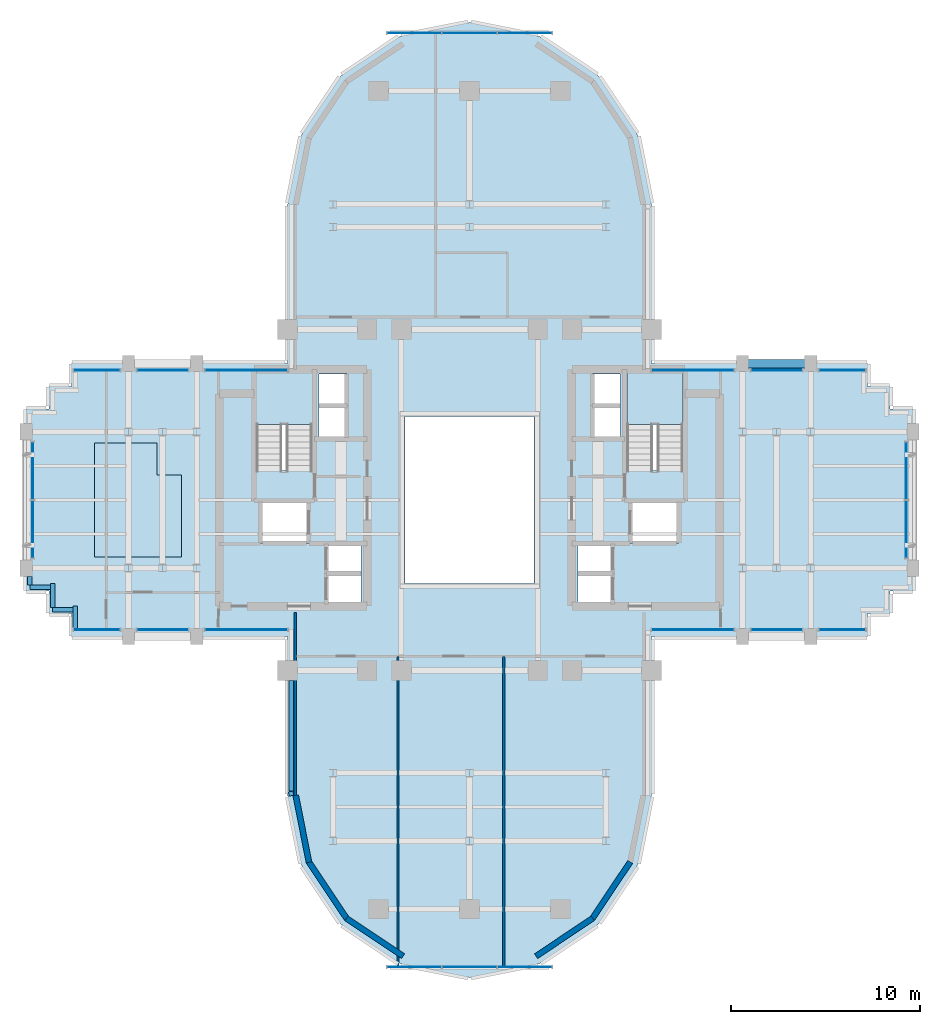
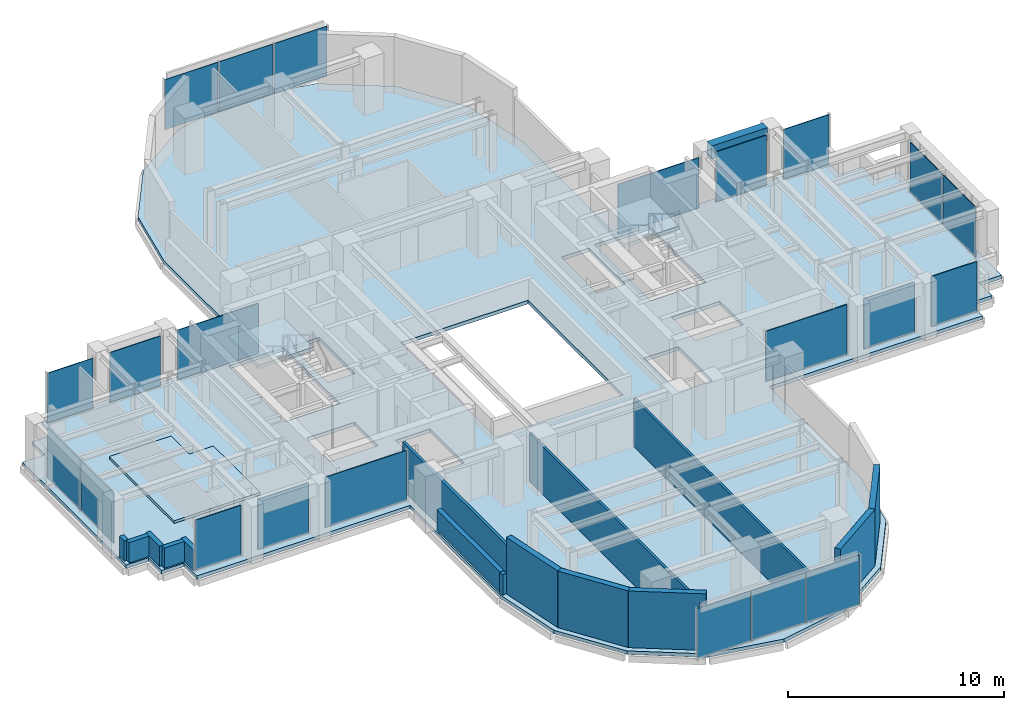
# One storey, part 7 of 13: 22 plates, 15 walls, 4 slabs, 1 beam, 18 elements without a shape of their own.
"""IFC4 building model written with IfcOpenShell, lengths in metres."""

from ifc_helpers import new_model, si_unit, direction, frame, frame_2d, origin, origin_2d, place, context, subcontext, project, spatial, polyline, rectangle, outline, extrude, source, transform, mapped, material, layer, layer_set, material_profile, profile_set, type_object, element, aggregate, save


model = new_model("IFC4")

# Units and contexts
model_context = context("Model", 3, precision=1e-05, world=origin(), true_north=direction((0.0, 1.0)))
body_context = subcontext(model_context, "Body", "Model", "MODEL_VIEW")
ifc_project = project(units=[si_unit("LENGTHUNIT", "METRE"), si_unit("AREAUNIT", "SQUARE_METRE"), si_unit("VOLUMEUNIT", "CUBIC_METRE"), si_unit("PLANEANGLEUNIT", "RADIAN"), si_unit("MASSUNIT", "GRAM", prefix="KILO")], contexts=[model_context])

# Site, building, storey
site_placement = place(None, origin())
site = spatial("IfcSite", under=ifc_project, at=site_placement, CompositionType="ELEMENT")
building_placement = place(site_placement, origin())
building = spatial("IfcBuilding", under=site, at=building_placement, Name="Keilestroom Media Tower", CompositionType="ELEMENT")
storey_placement = place(building_placement, frame((0.0, 0.0, 141.39990234375)))
storey = spatial("IfcBuildingStorey", under=building, at=storey_placement, Name="L38", CompositionType="ELEMENT", Elevation=141.39990234375)

# Beam
ifc_material_1 = material(Name="Precast concrete C40/50", Category="concrete")
ifc_material_profile = material_profile(ifc_material_1, rectangle(XDim=0.449951171875, YDim=0.75, at=origin_2d()), Name="PC 450x750")
ifc_profile_set = profile_set([ifc_material_profile], Name="Precast concrete C40/50")
beam_type = type_object("IfcBeamType", Name="Perimeter-Spandrel-Beam-PC-450x750", PredefinedType="SPANDREL", material=ifc_profile_set)
shared_shape_1 = source(origin(), body_context, "Body", "SweptSolid", [
    extrude(rectangle(XDim=0.449951171875, YDim=0.75, at=origin_2d()), origin(), (0.0, 0.0, 1.0), 2.989990234375),
])
beam_placement = place(storey_placement, frame((14.705078125, 7.199951171875, 2.8251953125), z_axis=(1.0, 0.0, 0.0), x_axis=(0.0, 1.0, 0.0)))
element("IfcBeam", 1, at=beam_placement, inside=storey, type_object=beam_type, Name="L38 Beam SPB-1 BM-L38-EW-027", PredefinedType="SPANDREL", context=body_context, shape_type="MappedRepresentation", body=[
    mapped(shared_shape_1, transform((0.0, 0.0, 0.0), x_axis=(1.0, 0.0, 0.0), y_axis=(0.0, 1.0, 0.0), z_axis=(0.0, 0.0, 1.0), scale=1.0)),
])

# Slabs
ifc_material_2 = material(Name="Concrete C50/60", Category="concrete")
ifc_layer_1 = layer(ifc_material_2, 0.199951171875)
ifc_layer_set_1 = layer_set([ifc_layer_1], Name="Concrete C50/60")
slab_type_1 = type_object("IfcSlabType", Name="Composite-Floor-Slab-200", PredefinedType="FLOOR", material=ifc_layer_set_1)
slab_1_placement = place(storey_placement, frame((0.0, 0.0, -0.199951171875)))
element("IfcSlab", 2, at=slab_1_placement, inside=storey, type_object=slab_type_1, Name="L38 Structural Composite Floor Slab", PredefinedType="FLOOR", context=body_context, shape_type="SweptSolid", body=[
    extrude(outline(polyline([(23.39990234375, -4.800048828125), (23.39990234375, 4.800048828125), (22.199951171875, 4.800048828125), (22.199951171875, 6.0), (21.0, 6.0), (21.0, 7.199951171875), (9.60009765625, 7.199951171875), (9.60009765625, 9.60009765625), (9.60009765625, 15.60009765625), (8.869140625, 19.273681640625), (6.7880859375, 22.38818359375), (3.673828125, 24.46923828125), (0.0, 25.199951171875), (-3.673828125, 24.46923828125), (-6.7880859375, 22.38818359375), (-8.869140625, 19.273681640625), (-9.60009765625, 15.60009765625), (-9.60009765625, 9.60009765625), (-9.60009765625, 7.199951171875), (-21.0, 7.199951171875), (-21.0, 6.0), (-22.199951171875, 6.0), (-22.199951171875, 4.800048828125), (-23.39990234375, 4.800048828125), (-23.39990234375, -4.800048828125), (-22.199951171875, -4.800048828125), (-22.199951171875, -6.0), (-21.0, -6.0), (-21.0, -7.199951171875), (-9.60009765625, -7.199951171875), (-9.60009765625, -9.60009765625), (-9.60009765625, -15.60009765625), (-8.869140625, -19.273681640625), (-6.7880859375, -22.38818359375), (-3.673828125, -24.46923828125), (0.0, -25.199951171875), (3.673828125, -24.46923828125), (6.7880859375, -22.38818359375), (8.869140625, -19.273681640625), (9.60009765625, -15.60009765625), (9.60009765625, -9.60009765625), (9.60009765625, -7.199951171875), (21.0, -7.199951171875), (21.0, -6.0), (22.199951171875, -6.0), (22.199951171875, -4.800048828125), (23.39990234375, -4.800048828125)]), holes=[polyline([(-11.260009765625, 1.544921875), (-11.260009765625, 6.760009765625), (-8.300048828125, 6.760009765625), (-8.300048828125, 1.544921875), (-11.260009765625, 1.544921875)]), polyline([(-11.050048828125, -2.280029296875), (-11.050048828125, -0.10009765625), (-8.47998046875, -0.10009765625), (-8.47998046875, -2.280029296875), (-11.050048828125, -2.280029296875)]), polyline([(-7.949951171875, 3.300048828125), (-7.949951171875, 6.64990234375), (-6.47998046875, 6.64990234375), (-6.47998046875, 3.300048828125), (-7.949951171875, 3.300048828125)]), polyline([(-7.56005859375, -2.320068359375), (-5.719970703125, -2.320068359375), (-5.719970703125, -5.47998046875), (-7.56005859375, -5.47998046875), (-7.56005859375, -2.320068359375)]), polyline([(3.39990234375, -4.39990234375), (-3.39990234375, -4.39990234375), (-3.39990234375, 4.39990234375), (3.39990234375, 4.39990234375), (3.39990234375, -4.39990234375)]), polyline([(7.56005859375, -2.320068359375), (7.56005859375, -5.47998046875), (5.719970703125, -5.47998046875), (5.719970703125, -2.320068359375), (7.56005859375, -2.320068359375)]), polyline([(6.47998046875, 3.300048828125), (6.47998046875, 6.64990234375), (7.949951171875, 6.64990234375), (7.949951171875, 3.300048828125), (6.47998046875, 3.300048828125)]), polyline([(8.300048828125, 1.544921875), (8.300048828125, 6.760009765625), (11.260009765625, 6.760009765625), (11.260009765625, 1.544921875), (8.300048828125, 1.544921875)]), polyline([(8.47998046875, -2.280029296875), (8.47998046875, -0.10009765625), (11.050048828125, -0.10009765625), (11.050048828125, -2.280029296875), (8.47998046875, -2.280029296875)])]), origin(), (0.0, 0.0, 1.0), 0.199951171875),
])
ifc_material_3 = material(Name="Concrete C45/55", Category="concrete")
ifc_layer_2 = layer(ifc_material_3, 0.14990234375)
ifc_layer_set_2 = layer_set([ifc_layer_2], Name="Concrete C45/55")
slab_type_2 = type_object("IfcSlabType", Name="Floating-Studio-Floor-Slab-150", PredefinedType="FLOOR", material=ifc_layer_set_2)
slab_2_placement = place(storey_placement, origin())
element("IfcSlab", 3, at=slab_2_placement, inside=storey, type_object=slab_type_2, Name="L38 Acoustic Floating Studio Slab ST-CHM-Z2", PredefinedType="FLOOR", context=body_context, shape_type="SweptSolid", body=[
    extrude(outline(polyline([(-19.800048828125, -3.0), (-15.199951171875, -3.0), (-15.199951171875, 1.320068359375), (-16.488037109375, 1.320068359375), (-16.488037109375, 3.0), (-19.800048828125, 3.0), (-19.800048828125, -3.0)])), origin(), (0.0, 0.0, 1.0), 0.150146484375),
])

# Stair, slab
stair_type = type_object("IfcStairType", Name="Enclosed-Dog-Leg-Stair-ST-CORE", PredefinedType="HALF_TURN_STAIR", material=ifc_material_3)
stair_1_placement = place(storey_placement, origin())
stair_1 = element("IfcStair", 4, at=stair_1_placement, inside=storey, type_object=stair_type, Name="L38 West Core Escape Stair ST-1", PredefinedType="HALF_TURN_STAIR")
ifc_layer_3 = layer(ifc_material_3, 0.199951171875)
ifc_layer_set_3 = layer_set([ifc_layer_3], Name="Concrete C45/55")
slab_type_3 = type_object("IfcSlabType", Name="Stair-Intermediate-And-Top-Landing-Slab-200", PredefinedType="LANDING", material=ifc_layer_set_3)
slab_3_placement = place(storey_placement, frame((0.0, 0.0, 1.5)))
slab_3 = element("IfcSlab", 5, at=slab_3_placement, type_object=slab_type_3, Name="ST-1 landing 1", PredefinedType="LANDING", context=body_context, shape_type="SweptSolid", body=[
    extrude(outline(polyline([(-8.300048828125, 3.99609375), (-8.300048828125, 6.760009765625), (-11.260009765625, 6.760009765625), (-11.260009765625, 3.99609375), (-8.300048828125, 3.99609375)])), origin(), (0.0, 0.0, 1.0), 0.2001953125),
])
aggregate(stair_1, [slab_3])

stair_2_placement = place(storey_placement, origin())
stair_2 = element("IfcStair", 6, at=stair_2_placement, inside=storey, type_object=stair_type, Name="L38 East Core Escape Stair ST-2", PredefinedType="HALF_TURN_STAIR")
slab_4_placement = place(storey_placement, frame((0.0, 0.0, 1.5)))
slab_4 = element("IfcSlab", 7, at=slab_4_placement, type_object=slab_type_3, Name="ST-2 landing 1", PredefinedType="LANDING", context=body_context, shape_type="SweptSolid", body=[
    extrude(outline(polyline([(11.260009765625, 3.99609375), (11.260009765625, 6.760009765625), (8.300048828125, 6.760009765625), (8.300048828125, 3.99609375), (11.260009765625, 3.99609375)])), origin(), (0.0, 0.0, 1.0), 0.2001953125),
])
aggregate(stair_2, [slab_4])

# Curtain wall, plates
ifc_material_4 = material(Name="Anodised Aluminium Alloy", Category="aluminium")
curtain_wall_type_1 = type_object("IfcCurtainWallType", Name="Unitised-Curtain-Wall-CW-6", PredefinedType="NOTDEFINED", material=ifc_material_4)
curtain_wall_1_placement = place(storey_placement, origin())
curtain_wall_1 = element("IfcCurtainWall", 8, at=curtain_wall_1_placement, inside=storey, type_object=curtain_wall_type_1, Name="L38 Curtain Wall CW-6 CW-L38-LN-1", PredefinedType="NOTDEFINED")
ifc_material_5 = material(Name="Curved-Facet Triple Glazed Unit", Category="glass")
ifc_layer_4 = layer(ifc_material_5, 0.033935546875)
ifc_layer_set_4 = layer_set([ifc_layer_4], Name="Curved-Facet Triple Glazed Unit")
plate_type_1 = type_object("IfcPlateType", Name="Insulated-Curtain-Wall-Glazing-Panel-CW-6", PredefinedType="CURTAIN_PANEL", material=ifc_layer_set_4)
shared_shape_2 = source(origin(), body_context, "Body", "SweptSolid", [
    extrude(rectangle(XDim=2.84375, YDim=0.033935546875, at=origin_2d()), origin(), (0.0, 0.0, 1.0), 2.833984375),
])
plate_1_placement = place(storey_placement, frame((-2.9169921875, 24.64990234375, 0.072998046875), z_axis=(0.0, 0.0, 1.0), x_axis=(1.0, 0.0, 0.0)))
plate_1 = element("IfcPlate", 9, at=plate_1_placement, type_object=plate_type_1, Name="CW-6 Unitised Glazing 00", PredefinedType="CURTAIN_PANEL", context=body_context, shape_type="MappedRepresentation", body=[
    mapped(shared_shape_2, transform((0.0, 0.0, 0.0), x_axis=(1.0, 0.0, 0.0), y_axis=(0.0, 1.0, 0.0), z_axis=(0.0, 0.0, 1.0), scale=1.0)),
])
plate_2_placement = place(storey_placement, frame((2.9169921875, 24.64990234375, 0.072998046875), z_axis=(0.0, 0.0, 1.0), x_axis=(1.0, 0.0, 0.0)))
plate_2 = element("IfcPlate", 10, at=plate_2_placement, type_object=plate_type_1, Name="CW-6 Unitised Glazing 02", PredefinedType="CURTAIN_PANEL", context=body_context, shape_type="MappedRepresentation", body=[
    mapped(shared_shape_2, transform((0.0, 0.0, 0.0), x_axis=(1.0, 0.0, 0.0), y_axis=(0.0, 1.0, 0.0), z_axis=(0.0, 0.0, 1.0), scale=1.0)),
])

curtain_wall_2_placement = place(storey_placement, origin())
curtain_wall_2 = element("IfcCurtainWall", 11, at=curtain_wall_2_placement, inside=storey, type_object=curtain_wall_type_1, Name="L38 Curtain Wall CW-6 CW-L38-LS-1", PredefinedType="NOTDEFINED")
plate_3_placement = place(storey_placement, frame((-2.9169921875, -24.64990234375, 0.072998046875), z_axis=(0.0, 0.0, 1.0), x_axis=(1.0, 0.0, 0.0)))
plate_3 = element("IfcPlate", 12, at=plate_3_placement, type_object=plate_type_1, Name="CW-6 Unitised Glazing 00", PredefinedType="CURTAIN_PANEL", context=body_context, shape_type="MappedRepresentation", body=[
    mapped(shared_shape_2, transform((0.0, 0.0, 0.0), x_axis=(1.0, 0.0, 0.0), y_axis=(0.0, 1.0, 0.0), z_axis=(0.0, 0.0, 1.0), scale=1.0)),
])
plate_4_placement = place(storey_placement, frame((2.9169921875, -24.64990234375, 0.072998046875), z_axis=(0.0, 0.0, 1.0), x_axis=(1.0, 0.0, 0.0)))
plate_4 = element("IfcPlate", 13, at=plate_4_placement, type_object=plate_type_1, Name="CW-6 Unitised Glazing 02", PredefinedType="CURTAIN_PANEL", context=body_context, shape_type="MappedRepresentation", body=[
    mapped(shared_shape_2, transform((0.0, 0.0, 0.0), x_axis=(1.0, 0.0, 0.0), y_axis=(0.0, 1.0, 0.0), z_axis=(0.0, 0.0, 1.0), scale=1.0)),
])

# Plate
shared_shape_3 = source(origin(), body_context, "Body", "SweptSolid", [
    extrude(rectangle(XDim=2.876220703125, YDim=0.033935546875, at=origin_2d()), origin(), (0.0, 0.0, 1.0), 2.833984375),
])
plate_5_placement = place(storey_placement, frame((0.0, 24.64990234375, 0.072998046875), z_axis=(0.0, 0.0, 1.0), x_axis=(1.0, 0.0, 0.0)))
plate_5 = element("IfcPlate", 14, at=plate_5_placement, type_object=plate_type_1, Name="CW-6 Unitised Glazing 01", PredefinedType="CURTAIN_PANEL", context=body_context, shape_type="MappedRepresentation", body=[
    mapped(shared_shape_3, transform((0.0, 0.0, 0.0), x_axis=(1.0, 0.0, 0.0), y_axis=(0.0, 1.0, 0.0), z_axis=(0.0, 0.0, 1.0), scale=1.0)),
])

aggregate(curtain_wall_1, [plate_1, plate_5, plate_2])

plate_6_placement = place(storey_placement, frame((0.0, -24.64990234375, 0.072998046875), z_axis=(0.0, 0.0, 1.0), x_axis=(1.0, 0.0, 0.0)))
plate_6 = element("IfcPlate", 15, at=plate_6_placement, type_object=plate_type_1, Name="CW-6 Unitised Glazing 01", PredefinedType="CURTAIN_PANEL", context=body_context, shape_type="MappedRepresentation", body=[
    mapped(shared_shape_3, transform((0.0, 0.0, 0.0), x_axis=(1.0, 0.0, 0.0), y_axis=(0.0, 1.0, 0.0), z_axis=(0.0, 0.0, 1.0), scale=1.0)),
])

aggregate(curtain_wall_2, [plate_3, plate_6, plate_4])

# Curtain wall, plate
curtain_wall_type_2 = type_object("IfcCurtainWallType", Name="Unitised-Curtain-Wall-CW-2", PredefinedType="NOTDEFINED", material=ifc_material_4)
curtain_wall_3_placement = place(storey_placement, origin())
curtain_wall_3 = element("IfcCurtainWall", 16, at=curtain_wall_3_placement, inside=storey, type_object=curtain_wall_type_2, Name="L38 Curtain Wall CW-2 CW-L38-NW-1", PredefinedType="NOTDEFINED")
ifc_material_6 = material(Name="Double Glazed Low-E Unit", Category="glass")
ifc_layer_5 = layer(ifc_material_6, 0.0419921875)
ifc_layer_set_5 = layer_set([ifc_layer_5], Name="Double Glazed Low-E Unit")
plate_type_2 = type_object("IfcPlateType", Name="Insulated-Curtain-Wall-Glazing-Panel-CW-2", PredefinedType="CURTAIN_PANEL", material=ifc_layer_set_5)
shared_shape_4 = source(origin(), body_context, "Body", "SweptSolid", [
    extrude(rectangle(XDim=2.43310546875, YDim=0.0419921875, at=origin_2d()), origin(), (0.0, 0.0, 1.0), 2.833984375),
])
plate_7_placement = place(storey_placement, frame((-19.66748046875, 6.85009765625, 0.072998046875), z_axis=(0.0, 0.0, 1.0), x_axis=(1.0, 0.0, 0.0)))
plate_7 = element("IfcPlate", 17, at=plate_7_placement, type_object=plate_type_2, Name="CW-2 Unitised Glazing 00", PredefinedType="CURTAIN_PANEL", context=body_context, shape_type="MappedRepresentation", body=[
    mapped(shared_shape_4, transform((0.0, 0.0, 0.0), x_axis=(1.0, 0.0, 0.0), y_axis=(0.0, 1.0, 0.0), z_axis=(0.0, 0.0, 1.0), scale=1.0)),
])
aggregate(curtain_wall_3, [plate_7])

curtain_wall_4_placement = place(storey_placement, origin())
curtain_wall_4 = element("IfcCurtainWall", 18, at=curtain_wall_4_placement, inside=storey, type_object=curtain_wall_type_2, Name="L38 Curtain Wall CW-2 CW-L38-NE-3", PredefinedType="NOTDEFINED")
plate_8_placement = place(storey_placement, frame((19.66748046875, 6.85009765625, 0.072998046875), z_axis=(0.0, 0.0, 1.0), x_axis=(1.0, 0.0, 0.0)))
plate_8 = element("IfcPlate", 19, at=plate_8_placement, type_object=plate_type_2, Name="CW-2 Unitised Glazing 00", PredefinedType="CURTAIN_PANEL", context=body_context, shape_type="MappedRepresentation", body=[
    mapped(shared_shape_4, transform((0.0, 0.0, 0.0), x_axis=(1.0, 0.0, 0.0), y_axis=(0.0, 1.0, 0.0), z_axis=(0.0, 0.0, 1.0), scale=1.0)),
])
aggregate(curtain_wall_4, [plate_8])

curtain_wall_5_placement = place(storey_placement, origin())
curtain_wall_5 = element("IfcCurtainWall", 20, at=curtain_wall_5_placement, inside=storey, type_object=curtain_wall_type_2, Name="L38 Curtain Wall CW-2 CW-L38-SW-1", PredefinedType="NOTDEFINED")
plate_9_placement = place(storey_placement, frame((-19.66748046875, -6.85009765625, 0.072998046875), z_axis=(0.0, 0.0, 1.0), x_axis=(1.0, 0.0, 0.0)))
plate_9 = element("IfcPlate", 21, at=plate_9_placement, type_object=plate_type_2, Name="CW-2 Unitised Glazing 00", PredefinedType="CURTAIN_PANEL", context=body_context, shape_type="MappedRepresentation", body=[
    mapped(shared_shape_4, transform((0.0, 0.0, 0.0), x_axis=(1.0, 0.0, 0.0), y_axis=(0.0, 1.0, 0.0), z_axis=(0.0, 0.0, 1.0), scale=1.0)),
])
aggregate(curtain_wall_5, [plate_9])

curtain_wall_6_placement = place(storey_placement, origin())
curtain_wall_6 = element("IfcCurtainWall", 22, at=curtain_wall_6_placement, inside=storey, type_object=curtain_wall_type_2, Name="L38 Curtain Wall CW-2 CW-L38-SE-3", PredefinedType="NOTDEFINED")
plate_10_placement = place(storey_placement, frame((19.66748046875, -6.85009765625, 0.072998046875), z_axis=(0.0, 0.0, 1.0), x_axis=(1.0, 0.0, 0.0)))
plate_10 = element("IfcPlate", 23, at=plate_10_placement, type_object=plate_type_2, Name="CW-2 Unitised Glazing 00", PredefinedType="CURTAIN_PANEL", context=body_context, shape_type="MappedRepresentation", body=[
    mapped(shared_shape_4, transform((0.0, 0.0, 0.0), x_axis=(1.0, 0.0, 0.0), y_axis=(0.0, 1.0, 0.0), z_axis=(0.0, 0.0, 1.0), scale=1.0)),
])
aggregate(curtain_wall_6, [plate_10])

curtain_wall_7_placement = place(storey_placement, origin())
curtain_wall_7 = element("IfcCurtainWall", 24, at=curtain_wall_7_placement, inside=storey, type_object=curtain_wall_type_2, Name="L38 Curtain Wall CW-2 CW-L38-NW-2", PredefinedType="NOTDEFINED")
shared_shape_5 = source(origin(), body_context, "Body", "SweptSolid", [
    extrude(rectangle(XDim=2.697998046875, YDim=0.0419921875, at=origin_2d()), origin(), (0.0, 0.0, 1.0), 2.833984375),
])
plate_11_placement = place(storey_placement, frame((-16.199951171875, 6.85009765625, 0.072998046875), z_axis=(0.0, 0.0, 1.0), x_axis=(1.0, 0.0, 0.0)))
plate_11 = element("IfcPlate", 25, at=plate_11_placement, type_object=plate_type_2, Name="CW-2 Unitised Glazing 00", PredefinedType="CURTAIN_PANEL", context=body_context, shape_type="MappedRepresentation", body=[
    mapped(shared_shape_5, transform((0.0, 0.0, 0.0), x_axis=(1.0, 0.0, 0.0), y_axis=(0.0, 1.0, 0.0), z_axis=(0.0, 0.0, 1.0), scale=1.0)),
])
aggregate(curtain_wall_7, [plate_11])

curtain_wall_8_placement = place(storey_placement, origin())
curtain_wall_8 = element("IfcCurtainWall", 26, at=curtain_wall_8_placement, inside=storey, type_object=curtain_wall_type_2, Name="L38 Curtain Wall CW-2 CW-L38-NE-2", PredefinedType="NOTDEFINED")
plate_12_placement = place(storey_placement, frame((16.199951171875, 6.85009765625, 0.072998046875), z_axis=(0.0, 0.0, 1.0), x_axis=(1.0, 0.0, 0.0)))
plate_12 = element("IfcPlate", 27, at=plate_12_placement, type_object=plate_type_2, Name="CW-2 Unitised Glazing 00", PredefinedType="CURTAIN_PANEL", context=body_context, shape_type="MappedRepresentation", body=[
    mapped(shared_shape_5, transform((0.0, 0.0, 0.0), x_axis=(1.0, 0.0, 0.0), y_axis=(0.0, 1.0, 0.0), z_axis=(0.0, 0.0, 1.0), scale=1.0)),
])
aggregate(curtain_wall_8, [plate_12])

curtain_wall_9_placement = place(storey_placement, origin())
curtain_wall_9 = element("IfcCurtainWall", 28, at=curtain_wall_9_placement, inside=storey, type_object=curtain_wall_type_2, Name="L38 Curtain Wall CW-2 CW-L38-SW-2", PredefinedType="NOTDEFINED")
plate_13_placement = place(storey_placement, frame((-16.199951171875, -6.85009765625, 0.072998046875), z_axis=(0.0, 0.0, 1.0), x_axis=(1.0, 0.0, 0.0)))
plate_13 = element("IfcPlate", 29, at=plate_13_placement, type_object=plate_type_2, Name="CW-2 Unitised Glazing 00", PredefinedType="CURTAIN_PANEL", context=body_context, shape_type="MappedRepresentation", body=[
    mapped(shared_shape_5, transform((0.0, 0.0, 0.0), x_axis=(1.0, 0.0, 0.0), y_axis=(0.0, 1.0, 0.0), z_axis=(0.0, 0.0, 1.0), scale=1.0)),
])
aggregate(curtain_wall_9, [plate_13])

curtain_wall_10_placement = place(storey_placement, origin())
curtain_wall_10 = element("IfcCurtainWall", 30, at=curtain_wall_10_placement, inside=storey, type_object=curtain_wall_type_2, Name="L38 Curtain Wall CW-2 CW-L38-SE-2", PredefinedType="NOTDEFINED")
plate_14_placement = place(storey_placement, frame((16.199951171875, -6.85009765625, 0.072998046875), z_axis=(0.0, 0.0, 1.0), x_axis=(1.0, 0.0, 0.0)))
plate_14 = element("IfcPlate", 31, at=plate_14_placement, type_object=plate_type_2, Name="CW-2 Unitised Glazing 00", PredefinedType="CURTAIN_PANEL", context=body_context, shape_type="MappedRepresentation", body=[
    mapped(shared_shape_5, transform((0.0, 0.0, 0.0), x_axis=(1.0, 0.0, 0.0), y_axis=(0.0, 1.0, 0.0), z_axis=(0.0, 0.0, 1.0), scale=1.0)),
])
aggregate(curtain_wall_10, [plate_14])

curtain_wall_11_placement = place(storey_placement, origin())
curtain_wall_11 = element("IfcCurtainWall", 32, at=curtain_wall_11_placement, inside=storey, type_object=curtain_wall_type_2, Name="L38 Curtain Wall CW-2 CW-L38-NW-3", PredefinedType="NOTDEFINED")
shared_shape_6 = source(origin(), body_context, "Body", "SweptSolid", [
    extrude(rectangle(XDim=4.3330078125, YDim=0.0419921875, at=origin_2d()), origin(), (0.0, 0.0, 1.0), 2.833984375),
])
plate_15_placement = place(storey_placement, frame((-11.782470703125, 6.85009765625, 0.072998046875), z_axis=(0.0, 0.0, 1.0), x_axis=(1.0, 0.0, 0.0)))
plate_15 = element("IfcPlate", 33, at=plate_15_placement, type_object=plate_type_2, Name="CW-2 Unitised Glazing 00", PredefinedType="CURTAIN_PANEL", context=body_context, shape_type="MappedRepresentation", body=[
    mapped(shared_shape_6, transform((0.0, 0.0, 0.0), x_axis=(1.0, 0.0, 0.0), y_axis=(0.0, 1.0, 0.0), z_axis=(0.0, 0.0, 1.0), scale=1.0)),
])
aggregate(curtain_wall_11, [plate_15])

curtain_wall_12_placement = place(storey_placement, origin())
curtain_wall_12 = element("IfcCurtainWall", 34, at=curtain_wall_12_placement, inside=storey, type_object=curtain_wall_type_2, Name="L38 Curtain Wall CW-2 CW-L38-NE-1", PredefinedType="NOTDEFINED")
plate_16_placement = place(storey_placement, frame((11.782470703125, 6.85009765625, 0.072998046875), z_axis=(0.0, 0.0, 1.0), x_axis=(1.0, 0.0, 0.0)))
plate_16 = element("IfcPlate", 35, at=plate_16_placement, type_object=plate_type_2, Name="CW-2 Unitised Glazing 00", PredefinedType="CURTAIN_PANEL", context=body_context, shape_type="MappedRepresentation", body=[
    mapped(shared_shape_6, transform((0.0, 0.0, 0.0), x_axis=(1.0, 0.0, 0.0), y_axis=(0.0, 1.0, 0.0), z_axis=(0.0, 0.0, 1.0), scale=1.0)),
])
aggregate(curtain_wall_12, [plate_16])

curtain_wall_13_placement = place(storey_placement, origin())
curtain_wall_13 = element("IfcCurtainWall", 36, at=curtain_wall_13_placement, inside=storey, type_object=curtain_wall_type_2, Name="L38 Curtain Wall CW-2 CW-L38-SW-3", PredefinedType="NOTDEFINED")
plate_17_placement = place(storey_placement, frame((-11.782470703125, -6.85009765625, 0.072998046875), z_axis=(0.0, 0.0, 1.0), x_axis=(1.0, 0.0, 0.0)))
plate_17 = element("IfcPlate", 37, at=plate_17_placement, type_object=plate_type_2, Name="CW-2 Unitised Glazing 00", PredefinedType="CURTAIN_PANEL", context=body_context, shape_type="MappedRepresentation", body=[
    mapped(shared_shape_6, transform((0.0, 0.0, 0.0), x_axis=(1.0, 0.0, 0.0), y_axis=(0.0, 1.0, 0.0), z_axis=(0.0, 0.0, 1.0), scale=1.0)),
])
aggregate(curtain_wall_13, [plate_17])

curtain_wall_14_placement = place(storey_placement, origin())
curtain_wall_14 = element("IfcCurtainWall", 38, at=curtain_wall_14_placement, inside=storey, type_object=curtain_wall_type_2, Name="L38 Curtain Wall CW-2 CW-L38-SE-1", PredefinedType="NOTDEFINED")
plate_18_placement = place(storey_placement, frame((11.782470703125, -6.85009765625, 0.072998046875), z_axis=(0.0, 0.0, 1.0), x_axis=(1.0, 0.0, 0.0)))
plate_18 = element("IfcPlate", 39, at=plate_18_placement, type_object=plate_type_2, Name="CW-2 Unitised Glazing 00", PredefinedType="CURTAIN_PANEL", context=body_context, shape_type="MappedRepresentation", body=[
    mapped(shared_shape_6, transform((0.0, 0.0, 0.0), x_axis=(1.0, 0.0, 0.0), y_axis=(0.0, 1.0, 0.0), z_axis=(0.0, 0.0, 1.0), scale=1.0)),
])
aggregate(curtain_wall_14, [plate_18])

# Curtain wall, plates
curtain_wall_15_placement = place(storey_placement, origin())
curtain_wall_15 = element("IfcCurtainWall", 40, at=curtain_wall_15_placement, inside=storey, type_object=curtain_wall_type_2, Name="L38 Curtain Wall CW-2 CW-L38-W-1", PredefinedType="NOTDEFINED")
shared_shape_7 = source(origin(), body_context, "Body", "SweptSolid", [
    extrude(rectangle(XDim=3.01806640625, YDim=0.0419921875, at=origin_2d()), origin(), (0.0, 0.0, 1.0), 2.833984375),
])
plate_19_placement = place(storey_placement, frame((-23.050048828125, -1.5400390625, 0.072998046875), z_axis=(0.0, 0.0, 1.0), x_axis=(0.0, 1.0, 0.0)))
plate_19 = element("IfcPlate", 41, at=plate_19_placement, type_object=plate_type_2, Name="CW-2 Unitised Glazing 00", PredefinedType="CURTAIN_PANEL", context=body_context, shape_type="MappedRepresentation", body=[
    mapped(shared_shape_7, transform((0.0, 0.0, 0.0), x_axis=(1.0, 0.0, 0.0), y_axis=(0.0, 1.0, 0.0), z_axis=(0.0, 0.0, 1.0), scale=1.0)),
])
plate_20_placement = place(storey_placement, frame((-23.050048828125, 1.5400390625, 0.072998046875), z_axis=(0.0, 0.0, 1.0), x_axis=(0.0, 1.0, 0.0)))
plate_20 = element("IfcPlate", 42, at=plate_20_placement, type_object=plate_type_2, Name="CW-2 Unitised Glazing 01", PredefinedType="CURTAIN_PANEL", context=body_context, shape_type="MappedRepresentation", body=[
    mapped(shared_shape_7, transform((0.0, 0.0, 0.0), x_axis=(1.0, 0.0, 0.0), y_axis=(0.0, 1.0, 0.0), z_axis=(0.0, 0.0, 1.0), scale=1.0)),
])
aggregate(curtain_wall_15, [plate_19, plate_20])

curtain_wall_16_placement = place(storey_placement, origin())
curtain_wall_16 = element("IfcCurtainWall", 43, at=curtain_wall_16_placement, inside=storey, type_object=curtain_wall_type_2, Name="L38 Curtain Wall CW-2 CW-L38-E-1", PredefinedType="NOTDEFINED")
plate_21_placement = place(storey_placement, frame((23.050048828125, -1.5400390625, 0.072998046875), z_axis=(0.0, 0.0, 1.0), x_axis=(0.0, 1.0, 0.0)))
plate_21 = element("IfcPlate", 44, at=plate_21_placement, type_object=plate_type_2, Name="CW-2 Unitised Glazing 00", PredefinedType="CURTAIN_PANEL", context=body_context, shape_type="MappedRepresentation", body=[
    mapped(shared_shape_7, transform((0.0, 0.0, 0.0), x_axis=(1.0, 0.0, 0.0), y_axis=(0.0, 1.0, 0.0), z_axis=(0.0, 0.0, 1.0), scale=1.0)),
])
plate_22_placement = place(storey_placement, frame((23.050048828125, 1.5400390625, 0.072998046875), z_axis=(0.0, 0.0, 1.0), x_axis=(0.0, 1.0, 0.0)))
plate_22 = element("IfcPlate", 45, at=plate_22_placement, type_object=plate_type_2, Name="CW-2 Unitised Glazing 01", PredefinedType="CURTAIN_PANEL", context=body_context, shape_type="MappedRepresentation", body=[
    mapped(shared_shape_7, transform((0.0, 0.0, 0.0), x_axis=(1.0, 0.0, 0.0), y_axis=(0.0, 1.0, 0.0), z_axis=(0.0, 0.0, 1.0), scale=1.0)),
])
aggregate(curtain_wall_16, [plate_21, plate_22])

# Walls
ifc_layer_6 = layer(ifc_material_1, 0.300048828125)
ifc_layer_set_6 = layer_set([ifc_layer_6], Name="Precast concrete C40/50")
wall_type_1 = type_object("IfcWallType", Name="Exterior-Masonry-Spandrel-Wall-300", PredefinedType="SOLIDWALL", material=ifc_layer_set_6)
for number, where, z_axis, x_axis, name in (
    (46, (-9.1748046875, -15.585205078125, 0.0), (0.0, 0.0, 1.0), (0.195114232679, -0.980780523974, 0.0), "L38 Lobe Facet Precast Frame Wall 07"),
    (47, (-8.48193359375, -19.097412109375, 0.0), (0.0, 0.0, 1.0), (0.555574187116, -0.831466970246, 0.0), "L38 Lobe Facet Precast Frame Wall 08"),
):
    element("IfcWall", number, at=place(storey_placement, frame(where, z_axis=z_axis, x_axis=x_axis)), inside=storey, type_object=wall_type_1, Name=name, PredefinedType="SOLIDWALL", context=body_context, shape_type="SweptSolid", body=[
        extrude(rectangle(XDim=3.608642578125, YDim=0.300048828125, at=frame_2d((1.80419921875, 0.0))), origin(), (0.0, 0.0, 1.0), 3.2001953125),
    ])
for number, where, z_axis, x_axis, name in (
    (48, (-6.497802734375, -22.0771484375, 0.0), (0.0, 0.0, 1.0), (0.8314749531, -0.555562239868, 0.0), "L38 Lobe Facet Precast Frame Wall 09"),
    (49, (3.510009765625, -24.073486328125, 0.0), (0.0, 0.0, 1.0), (0.8314749531, 0.555562239868, 0.0), "L38 Lobe Facet Precast Frame Wall 10"),
):
    element("IfcWall", number, at=place(storey_placement, frame(where, z_axis=z_axis, x_axis=x_axis)), inside=storey, type_object=wall_type_1, Name=name, PredefinedType="SOLIDWALL", context=body_context, shape_type="SweptSolid", body=[
        extrude(rectangle(XDim=3.59326171875, YDim=0.300048828125, at=frame_2d((1.796630859375, 0.0))), origin(), (0.0, 0.0, 1.0), 3.2001953125),
    ])
wall_1_placement = place(storey_placement, frame((6.47705078125, -22.097900390625, 0.0), z_axis=(0.0, 0.0, 1.0), x_axis=(0.555574187116, 0.831466970246, 0.0)))
element("IfcWall", 50, at=wall_1_placement, inside=storey, type_object=wall_type_1, Name="L38 Lobe Facet Precast Frame Wall 11", PredefinedType="SOLIDWALL", context=body_context, shape_type="SweptSolid", body=[
    extrude(rectangle(XDim=3.608642578125, YDim=0.300048828125, at=frame_2d((1.80419921875, 0.0))), origin(), (0.0, 0.0, 1.0), 3.2001953125),
])
ifc_material_7 = material(Name="Gypsum Plasterboard & Steel Stud", Category="steel")
ifc_layer_7 = layer(ifc_material_7, 0.1201171875)
ifc_layer_set_7 = layer_set([ifc_layer_7], Name="Gypsum Plasterboard & Steel Stud")
wall_type_2 = type_object("IfcWallType", Name="Interior-Partition-Wall-120", PredefinedType="PARTITIONING", material=ifc_layer_set_7)
for number, where, z_axis, x_axis, name in (
    (51, (-3.780029296875, -24.64990234375, 0.0), (0.0, 0.0, 1.0), (0.0, 1.0, 0.0), "L38 Interior Wall WP-L38-SL-V1"),
    (52, (1.800048828125, -24.64990234375, 0.0), (0.0, 0.0, 1.0), (0.0, 1.0, 0.0), "L38 Interior Wall WP-L38-SL-V2"),
):
    element("IfcWall", number, at=place(storey_placement, frame(where, z_axis=z_axis, x_axis=x_axis)), inside=storey, type_object=wall_type_2, Name=name, PredefinedType="PARTITIONING", context=body_context, shape_type="SweptSolid", body=[
        extrude(rectangle(XDim=16.39990234375, YDim=0.1201171875, at=frame_2d((8.199951171875, 0.0))), origin(), (0.0, 0.0, 1.0), 2.7001953125),
    ])
ifc_layer_8 = layer(ifc_material_7, 0.14990234375)
ifc_layer_set_8 = layer_set([ifc_layer_8], Name="Gypsum Plasterboard & Steel Stud")
wall_type_3 = type_object("IfcWallType", Name="Interior-Partition-Wall-150", PredefinedType="PARTITIONING", material=ifc_layer_set_8)
wall_2_placement = place(storey_placement, frame((-9.199951171875, -15.679931640625, 0.0), z_axis=(0.0, 0.0, 1.0), x_axis=(0.0, 1.0, 0.0)))
element("IfcWall", 53, at=wall_2_placement, inside=storey, type_object=wall_type_3, Name="L38 Interior Wall WP-L38-SL-CHKW", PredefinedType="PARTITIONING", context=body_context, shape_type="SweptSolid", body=[
    extrude(rectangle(XDim=9.739990234375, YDim=0.14990234375, at=frame_2d((4.8701171875, 0.0))), origin(), (0.0, 0.0, 1.0), 2.7001953125),
])
ifc_layer_9 = layer(ifc_material_1, 0.239990234375)
ifc_layer_set_9 = layer_set([ifc_layer_9], Name="Precast concrete C40/50")
wall_type_4 = type_object("IfcWallType", Name="Roof-And-Terrace-Parapet-Wall-240", PredefinedType="PARAPET", material=ifc_layer_set_9)
wall_3_placement = place(storey_placement, frame((-9.395263671875, -15.604248046875, 0.0), z_axis=(0.0, 0.0, 1.0), x_axis=(-0.194652052864, 0.980872355771, 0.0)))
element("IfcWall", 54, at=wall_3_placement, inside=storey, type_object=wall_type_4, Name="L38 Perimeter Edge Parapet Wall 08", PredefinedType="PARAPET", context=body_context, shape_type="SweptSolid", body=[
    extrude(rectangle(XDim=0.224609375, YDim=0.239990234375, at=frame_2d((0.1123046875, 0.0))), origin(), (0.0, 0.0, 1.0), 1.150146484375),
])
wall_4_placement = place(storey_placement, frame((-9.39990234375, -15.357666015625, 0.0), z_axis=(0.0, 0.0, 1.0), x_axis=(0.0, 1.0, 0.0)))
element("IfcWall", 55, at=wall_4_placement, inside=storey, type_object=wall_type_4, Name="L38 Perimeter Edge Parapet Wall 09", PredefinedType="PARAPET", context=body_context, shape_type="SweptSolid", body=[
    extrude(rectangle(XDim=5.82958984375, YDim=0.239990234375, at=frame_2d((2.914794921875, 0.0))), origin(), (0.0, 0.0, 1.0), 1.150146484375),
])
wall_5_placement = place(storey_placement, frame((-20.800048828125, -6.757080078125, 0.0), z_axis=(0.0, 0.0, 1.0), x_axis=(0.0, 1.0, 0.0)))
element("IfcWall", 56, at=wall_5_placement, inside=storey, type_object=wall_type_4, Name="L38 Perimeter Edge Parapet Wall 11", PredefinedType="PARAPET", context=body_context, shape_type="SweptSolid", body=[
    extrude(rectangle(XDim=1.156982421875, YDim=0.239990234375, at=frame_2d((0.57861328125, 0.0))), origin(), (0.0, 0.0, 1.0), 1.150146484375),
])
wall_6_placement = place(storey_placement, frame((-20.923095703125, -5.800048828125, 0.0), z_axis=(0.0, 0.0, 1.0), x_axis=(-1.0, 0.0, 0.0)))
element("IfcWall", 57, at=wall_6_placement, inside=storey, type_object=wall_type_4, Name="L38 Perimeter Edge Parapet Wall 12", PredefinedType="PARAPET", context=body_context, shape_type="SweptSolid", body=[
    extrude(rectangle(XDim=1.076904296875, YDim=0.239990234375, at=frame_2d((0.53857421875, 0.0))), origin(), (0.0, 0.0, 1.0), 1.150146484375),
])
wall_7_placement = place(storey_placement, frame((-22.0, -5.677001953125, 0.0), z_axis=(0.0, 0.0, 1.0), x_axis=(0.0, 1.0, 0.0)))
element("IfcWall", 58, at=wall_7_placement, inside=storey, type_object=wall_type_4, Name="L38 Perimeter Edge Parapet Wall 13", PredefinedType="PARAPET", context=body_context, shape_type="SweptSolid", body=[
    extrude(rectangle(XDim=1.277099609375, YDim=0.239990234375, at=frame_2d((0.638671875, 0.0))), origin(), (0.0, 0.0, 1.0), 1.150146484375),
])
wall_8_placement = place(storey_placement, frame((-22.123046875, -4.60009765625, 0.0), z_axis=(0.0, 0.0, 1.0), x_axis=(-1.0, 0.0, 0.0)))
element("IfcWall", 59, at=wall_8_placement, inside=storey, type_object=wall_type_4, Name="L38 Perimeter Edge Parapet Wall 14", PredefinedType="PARAPET", context=body_context, shape_type="SweptSolid", body=[
    extrude(rectangle(XDim=1.076904296875, YDim=0.239990234375, at=frame_2d((0.53857421875, 0.0))), origin(), (0.0, 0.0, 1.0), 1.150146484375),
])
wall_9_placement = place(storey_placement, frame((-23.199951171875, -4.47705078125, 0.0), z_axis=(0.0, 0.0, 1.0), x_axis=(0.0, 1.0, 0.0)))
element("IfcWall", 60, at=wall_9_placement, inside=storey, type_object=wall_type_4, Name="L38 Perimeter Edge Parapet Wall 15", PredefinedType="PARAPET", context=body_context, shape_type="SweptSolid", body=[
    extrude(rectangle(XDim=0.448974609375, YDim=0.239990234375, at=frame_2d((0.224609375, 0.0))), origin(), (0.0, 0.0, 1.0), 1.150146484375),
])

save(model, "model.ifc")
